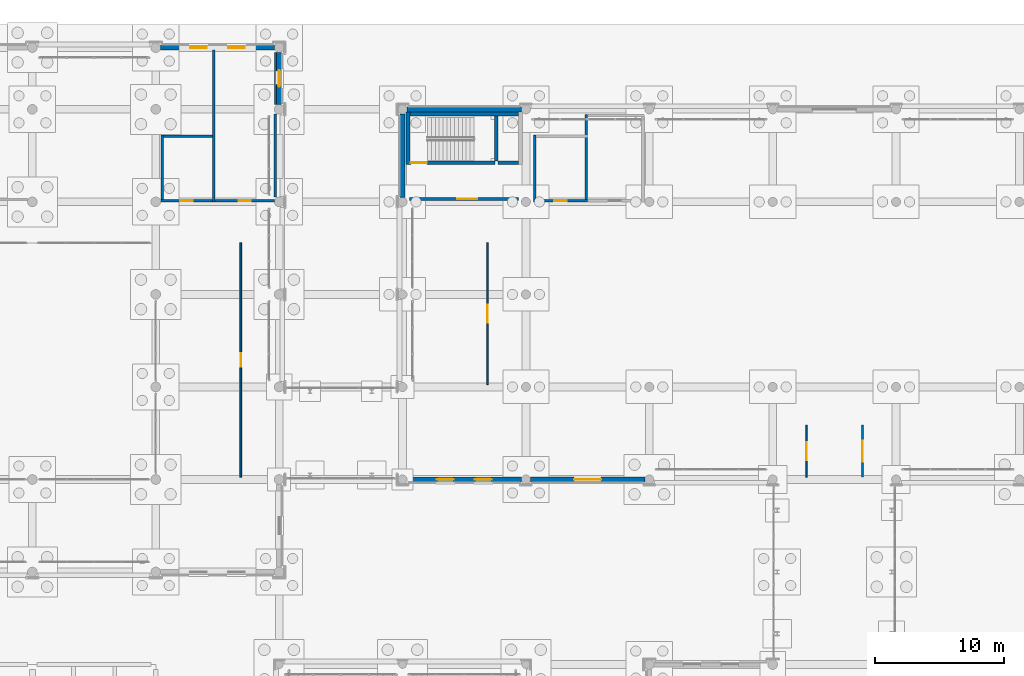
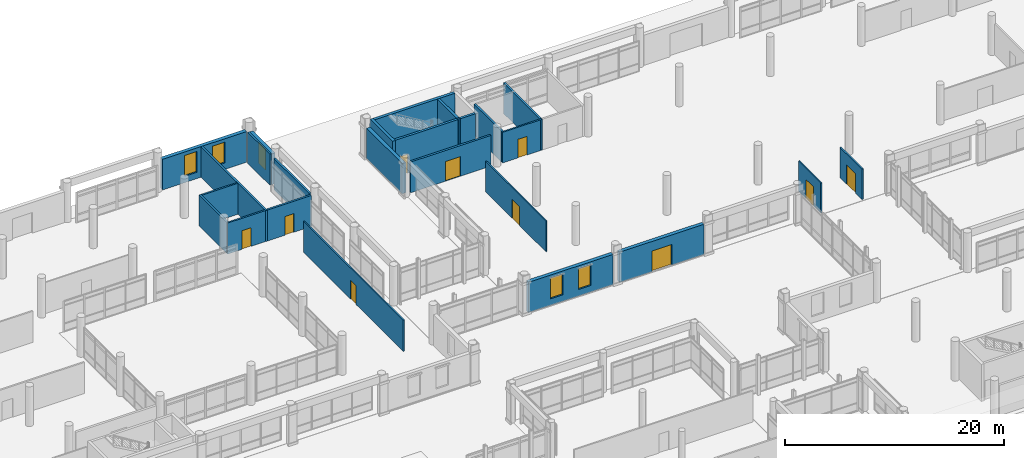
# One storey, part 164 of 196: 26 walls, 10 doors, 5 windows, 15 openings.
"""IFC4 building model written with IfcOpenShell, lengths in metres."""

import ifcopenshell
import ifcopenshell.guid

model = None  # the IFC model being written
_history = None  # IfcOwnerHistory: only IFC2X3 demands one
_inside = {}  # id of a spatial element -> (the spatial element, [elements in it])
_under = {}  # id of a project, library or spatial element -> (it, [spatial elements below it])
_declared = {}  # id of a project -> (the project, [libraries it declares])
_typed = {}  # id of a type object -> (the type object, [elements of that type])
_made_of = {}  # id of a material, layer set ... -> (it, [elements and type objects made of it])


def new_model(schema):
    """Start an empty IFC model of exactly this schema.

    Asked for "IFC4X3", IfcOpenShell would pick the latest addendum, in which some entities
    have other attributes; the version numbers below select the first issue.
    IFC2X3 requires an IfcOwnerHistory on every rooted entity: one is made here for all.
    """
    global model, _history
    if schema == "IFC4X3":
        model = ifcopenshell.file(schema_version=(4, 3, 0, 0))
    else:
        model = ifcopenshell.file(schema=schema)
    _inside.clear()
    _under.clear()
    _declared.clear()
    _typed.clear()
    _made_of.clear()
    _history = None
    if model.schema == "IFC2X3":
        org = make("IfcOrganization", Name="unknown")
        user = make(
            "IfcPersonAndOrganization",
            ThePerson=make("IfcPerson", FamilyName="unknown"),
            TheOrganization=org,
        )
        app = make(
            "IfcApplication",
            ApplicationDeveloper=org,
            Version="unknown",
            ApplicationFullName="unknown",
            ApplicationIdentifier="unknown",
        )
        _history = make(
            "IfcOwnerHistory",
            OwningUser=user,
            OwningApplication=app,
            ChangeAction="ADDED",
            CreationDate=0,
        )
    return model


def make(cls, **values):
    """One entity of the class cls with the attributes given. An attribute that is None is left unset."""
    return model.create_entity(
        cls, **{name: value for name, value in values.items() if value is not None}
    )


def rooted(cls, **values):
    """An entity with a GlobalId (a new one), such as an element, a storey or a relation."""
    return make(cls, GlobalId=ifcopenshell.guid.new(), OwnerHistory=_history, **values)


def si_unit(unit_type, name, prefix=None):
    """IfcSIUnit, for example si_unit("LENGTHUNIT", "METRE", prefix="MILLI")."""
    return make("IfcSIUnit", UnitType=unit_type, Prefix=prefix, Name=name)


def assignment(units):
    """IfcUnitAssignment: the units of a project."""
    return None if units is None else make("IfcUnitAssignment", Units=units)


def point(xyz):
    """IfcCartesianPoint."""
    return None if xyz is None else make("IfcCartesianPoint", Coordinates=xyz)


def direction(xyz):
    """IfcDirection."""
    return None if xyz is None else make("IfcDirection", DirectionRatios=xyz)


def frame(location, z_axis=None, x_axis=None):
    """IfcAxis2Placement3D, a coordinate frame: its origin and axes. An axis left out is left unset."""
    return make(
        "IfcAxis2Placement3D",
        Location=point(location),
        Axis=direction(z_axis),
        RefDirection=direction(x_axis),
    )


def frame_2d(location, x_axis=None):
    """IfcAxis2Placement2D, a coordinate frame in the plane: its origin and x axis."""
    return make(
        "IfcAxis2Placement2D", Location=point(location), RefDirection=direction(x_axis)
    )


def origin():
    """The frame at (0, 0, 0) with its axes left unset."""
    return frame((0.0, 0.0, 0.0))


def place(relative_to, where):
    """IfcLocalPlacement: puts the frame where relative to a parent placement (None: the world)."""
    return make(
        "IfcLocalPlacement", PlacementRelTo=relative_to, RelativePlacement=where
    )


def context(
    kind, dimensions, precision=None, world=None, true_north=None, identifier=None
):
    """IfcGeometricRepresentationContext, for example the 3D "Model" context."""
    return make(
        "IfcGeometricRepresentationContext",
        ContextIdentifier=identifier,
        ContextType=kind,
        CoordinateSpaceDimension=dimensions,
        Precision=precision,
        WorldCoordinateSystem=world,
        TrueNorth=true_north,
    )


def subcontext(parent, identifier, kind, view, scale=None):
    """IfcGeometricRepresentationSubContext, for example "Body" below "Model"."""
    return make(
        "IfcGeometricRepresentationSubContext",
        ContextIdentifier=identifier,
        ContextType=kind,
        ParentContext=parent,
        TargetScale=scale,
        TargetView=view,
    )


def project(units=None, contexts=None):
    """IfcProject with its units and contexts."""
    return rooted(
        "IfcProject",
        Name="project",
        RepresentationContexts=contexts,
        UnitsInContext=assignment(units),
    )


def spatial(cls, under=None, at=None, **own):
    """A site, building, storey or space (cls), placed at a placement, below another one or the project."""
    s = rooted(cls, ObjectPlacement=at, **own)
    if under is not None:
        _under.setdefault(under.id(), (under, []))[1].append(s)
    return s


def profile(cls, at=None, kind="AREA", **sizes):
    """A parametric profile (cls). Its sizes go by their IFC names, for example OverallWidth=200.0."""
    return make(cls, ProfileType=kind, Position=at, **sizes)


def rectangle(**sizes):
    """IfcRectangleProfileDef."""
    return profile("IfcRectangleProfileDef", **sizes)


def extrude(swept, where, along, depth):
    """IfcExtrudedAreaSolid: the profile swept, set in the frame where, extruded along a direction by depth."""
    return make(
        "IfcExtrudedAreaSolid",
        SweptArea=swept,
        Position=where,
        ExtrudedDirection=direction(along),
        Depth=depth,
    )


def shape(context_of_items, identifier, shape_type, items):
    """IfcShapeRepresentation: the items that make up one representation, for example the "Body"."""
    return make(
        "IfcShapeRepresentation",
        ContextOfItems=context_of_items,
        RepresentationIdentifier=identifier,
        RepresentationType=shape_type,
        Items=items,
    )


def material(Name=None, Category=None):
    """IfcMaterial."""
    return make("IfcMaterial", Name=Name, Category=Category)


def layer(
    of_material, thickness, ventilated=None, Name=None, Category=None, Priority=None
):
    """IfcMaterialLayer: one layer of a wall or slab, of a material (None: an air gap)."""
    return make(
        "IfcMaterialLayer",
        Material=of_material,
        LayerThickness=thickness,
        IsVentilated=ventilated,
        Name=Name,
        Category=Category,
        Priority=Priority,
    )


def layer_set(layers, Name=None):
    """IfcMaterialLayerSet."""
    return make("IfcMaterialLayerSet", MaterialLayers=layers, LayerSetName=Name)


def made_of(thing, what):
    """Note that an element or type object is made of a material, layer set ...; save() writes the relation."""
    if what is not None:
        _made_of.setdefault(what.id(), (what, []))[1].append(thing)
    return thing


def type_object(cls, material=None, **own):
    """A type object (cls), such as IfcWallType, which elements share."""
    return made_of(rooted(cls, **own), material)


def element(
    cls,
    number,
    at=None,
    inside=None,
    cuts=None,
    type_object=None,
    material=None,
    context=None,
    identifier="Body",
    shape_type=None,
    held_by="IfcProductDefinitionShape",
    body=None,
    shapes=None,
    **own,
):
    """One element of the class cls, such as IfcWall. Its Tag is "e" and its number.

    at: its placement. inside: the storey or other place that contains it. cuts: it is an
    opening in that element (IfcRelVoidsElement). A single representation is given by context,
    identifier, shape_type and body (its items); several are given by shapes. held_by: the class
    of the entity that holds the representations. save() writes the other relations.
    """
    e = rooted(cls, Tag="e%d" % number, ObjectPlacement=at, **own)
    if body is not None:
        shapes = [shape(context, identifier, shape_type, body)]
    if shapes is not None:
        e.Representation = make(held_by, Representations=shapes)
    if inside is not None:
        _inside.setdefault(inside.id(), (inside, []))[1].append(e)
    if cuts is not None:
        rooted(
            "IfcRelVoidsElement", RelatingBuildingElement=cuts, RelatedOpeningElement=e
        )
    if type_object is not None:
        _typed.setdefault(type_object.id(), (type_object, []))[1].append(e)
    return made_of(e, material)


def fill(opening, filler):
    """IfcRelFillsElement: the door or window that sits in an opening."""
    return rooted(
        "IfcRelFillsElement",
        RelatingOpeningElement=opening,
        RelatedBuildingElement=filler,
    )


def aggregate(whole, parts):
    """IfcRelAggregates: a whole, such as a stair, and the parts it consists of."""
    return rooted("IfcRelAggregates", RelatingObject=whole, RelatedObjects=parts)


def save(model, path):
    """Write the relations noted so far, then the file.

    IfcRelAggregates (storeys below a building ...), IfcRelContainedInSpatialStructure (elements
    in a storey), IfcRelDefinesByType, IfcRelAssociatesMaterial and IfcRelDeclares: one each for
    every whole, place, type object, material and project.
    """
    for whole, parts in _under.values():
        aggregate(whole, parts)
    for where, things in _inside.values():
        rooted(
            "IfcRelContainedInSpatialStructure",
            RelatedElements=things,
            RelatingStructure=where,
        )
    for kind, things in _typed.values():
        rooted("IfcRelDefinesByType", RelatedObjects=things, RelatingType=kind)
    for what, things in _made_of.values():
        rooted("IfcRelAssociatesMaterial", RelatedObjects=things, RelatingMaterial=what)
    for by, libraries in _declared.values():
        rooted("IfcRelDeclares", RelatingContext=by, RelatedDefinitions=libraries)
    model.write(path)


model = new_model("IFC4")

# Units and contexts
model_context = context("Model", 3, precision=1e-05, world=origin(), true_north=direction((0.0, 1.0)))
body_context = subcontext(model_context, "Body", "Model", "MODEL_VIEW")
ifc_project = project(units=[si_unit("LENGTHUNIT", "METRE"), si_unit("AREAUNIT", "SQUARE_METRE"), si_unit("VOLUMEUNIT", "CUBIC_METRE"), si_unit("PLANEANGLEUNIT", "RADIAN"), si_unit("MASSUNIT", "GRAM", prefix="KILO")], contexts=[model_context])

# Site, building, storey
site_placement = place(None, origin())
site = spatial("IfcSite", under=ifc_project, at=site_placement, CompositionType="ELEMENT")
building_placement = place(site_placement, origin())
building = spatial("IfcBuilding", under=site, at=building_placement, Name="Asteropetra Specialist Clinic", CompositionType="ELEMENT")
storey_placement = place(building_placement, origin())
storey = spatial("IfcBuildingStorey", under=building, at=storey_placement, Name="L00", CompositionType="ELEMENT", Elevation=0.0)

# Wall, openings, windows
ifc_material_1 = material(Name="Pentelic marble ashlar", Category="masonry")
ifc_layer_1 = layer(ifc_material_1, 0.3798828125)
ifc_layer_set_1 = layer_set([ifc_layer_1], Name="Pentelic marble ashlar")
wall_type_1 = type_object("IfcWallType", Name="EW-PENTELIC-380", PredefinedType="SOLIDWALL", material=ifc_layer_set_1)
wall_1_placement = place(storey_placement, frame((86.75, 76.800048828125, 0.0), z_axis=(0.0, 0.0, 1.0), x_axis=(1.0, 0.0, 0.0)))
wall_1 = element("IfcWall", 1, at=wall_1_placement, inside=storey, type_object=wall_type_1, Name="Exterior Wall EW-0001", PredefinedType="SOLIDWALL", context=body_context, shape_type="SweptSolid", body=[
    extrude(rectangle(XDim=8.89990234375, YDim=0.3798828125, at=frame_2d((4.449951171875, 0.0))), origin(), (0.0, 0.0, 1.0), 3.3701171875),
])
opening_1_placement = place(wall_1_placement, frame((2.316650390625, 0.0, 0.719970703125)))
opening_1 = element("IfcOpeningElement", 2, at=opening_1_placement, cuts=wall_1, Name="Opening W-0001", PredefinedType="OPENING", context=body_context, shape_type="SweptSolid", body=[
    extrude(rectangle(XDim=1.300048828125, YDim=2.320068359375, at=frame_2d((0.64990234375, 1.16015625))), frame((0.0, 0.199951171875, 0.0), z_axis=(0.0, -1.0, 0.0), x_axis=(1.0, 0.0, 0.0)), (0.0, 0.0, 1.0), 0.39990234375),
])
opening_2_placement = place(wall_1_placement, frame((5.283203125, 0.0, 0.719970703125)))
opening_2 = element("IfcOpeningElement", 3, at=opening_2_placement, cuts=wall_1, Name="Opening W-0002", PredefinedType="OPENING", context=body_context, shape_type="SweptSolid", body=[
    extrude(rectangle(XDim=1.300048828125, YDim=2.320068359375, at=frame_2d((0.64990234375, 1.16015625))), frame((0.0, 0.199951171875, 0.0), z_axis=(0.0, -1.0, 0.0), x_axis=(1.0, 0.0, 0.0)), (0.0, 0.0, 1.0), 0.39990234375),
])
ifc_material_2 = material(Name="Thermally broken bronze aluminium and low-E glass", Category="aluminium")
window_type = type_object("IfcWindowType", Name="WIN-T20", PartitioningType="DOUBLE_PANEL_VERTICAL", PredefinedType="WINDOW", material=ifc_material_2)
window_1_placement = place(opening_1_placement, origin())
window_1 = element("IfcWindow", 4, at=window_1_placement, inside=storey, type_object=window_type, Name="Window W-0001", OverallHeight=2.320068359375, OverallWidth=1.300048828125, PartitioningType="SINGLE_PANEL", PredefinedType="WINDOW", context=body_context, shape_type="SweptSolid", body=[
    extrude(rectangle(XDim=1.300048828125, YDim=2.320068359375, at=frame_2d((0.64990234375, 1.16015625))), frame((0.0, 0.030029296875, 0.0), z_axis=(0.0, -1.0, 0.0), x_axis=(1.0, 0.0, 0.0)), (0.0, 0.0, 1.0), 0.06005859375),
])
fill(opening_1, window_1)
window_2_placement = place(opening_2_placement, origin())
window_2 = element("IfcWindow", 5, at=window_2_placement, inside=storey, type_object=window_type, Name="Window W-0002", OverallHeight=2.320068359375, OverallWidth=1.300048828125, PartitioningType="SINGLE_PANEL", PredefinedType="WINDOW", context=body_context, shape_type="SweptSolid", body=[
    extrude(rectangle(XDim=1.300048828125, YDim=2.320068359375, at=frame_2d((0.64990234375, 1.16015625))), frame((0.0, 0.030029296875, 0.0), z_axis=(0.0, -1.0, 0.0), x_axis=(1.0, 0.0, 0.0)), (0.0, 0.0, 1.0), 0.06005859375),
])
fill(opening_2, window_2)

# Wall
wall_2_placement = place(storey_placement, frame((95.64990234375, 105.60009765625, 0.0), z_axis=(0.0, 0.0, 1.0), x_axis=(-1.0, 0.0, 0.0)))
element("IfcWall", 6, at=wall_2_placement, inside=storey, type_object=wall_type_1, Name="Exterior Wall EW-0002", PredefinedType="SOLIDWALL", context=body_context, shape_type="SweptSolid", body=[
    extrude(rectangle(XDim=8.89990234375, YDim=0.3798828125, at=frame_2d((4.449951171875, 0.0))), origin(), (0.0, 0.0, 1.0), 3.3701171875),
])

# Wall, opening, door
wall_3_placement = place(storey_placement, frame((96.35009765625, 76.800048828125, 0.0), z_axis=(0.0, 0.0, 1.0), x_axis=(1.0, 0.0, 0.0)))
wall_3 = element("IfcWall", 7, at=wall_3_placement, inside=storey, type_object=wall_type_1, Name="Exterior Wall EW-0003", PredefinedType="SOLIDWALL", context=body_context, shape_type="SweptSolid", body=[
    extrude(rectangle(XDim=8.89990234375, YDim=0.3798828125, at=frame_2d((4.449951171875, 0.0))), origin(), (0.0, 0.0, 1.0), 3.3701171875),
])
opening_3_placement = place(wall_3_placement, frame((3.39990234375, 0.0, 0.0)))
opening_3 = element("IfcOpeningElement", 8, at=opening_3_placement, cuts=wall_3, Name="Opening ED-001", PredefinedType="OPENING", context=body_context, shape_type="SweptSolid", body=[
    extrude(rectangle(XDim=2.10009765625, YDim=2.300048828125, at=frame_2d((1.050048828125, 1.14990234375))), frame((0.0, 0.199951171875, 0.0), z_axis=(0.0, -1.0, 0.0), x_axis=(1.0, 0.0, 0.0)), (0.0, 0.0, 1.0), 0.39990234375),
])
ifc_material_3 = material(Name="Bronze aluminium and safety glass", Category="aluminium")
door_type_1 = type_object("IfcDoorType", Name="EDR-EXIT-2100", OperationType="DOUBLE_DOOR_SINGLE_SWING", PredefinedType="DOOR", material=ifc_material_3)
door_1_placement = place(opening_3_placement, origin())
door_1 = element("IfcDoor", 9, at=door_1_placement, inside=storey, type_object=door_type_1, Name="Exterior Door ED-001", OperationType="DOUBLE_DOOR_SINGLE_SWING", OverallHeight=2.300048828125, OverallWidth=2.10009765625, PredefinedType="DOOR", context=body_context, shape_type="SweptSolid", body=[
    extrude(rectangle(XDim=2.10009765625, YDim=2.300048828125, at=frame_2d((1.050048828125, 1.14990234375))), frame((0.0, 0.02490234375, 0.0), z_axis=(0.0, -1.0, 0.0), x_axis=(1.0, 0.0, 0.0)), (0.0, 0.0, 1.0), 0.050048828125),
])
fill(opening_3, door_1)

# Wall
wall_4_placement = place(storey_placement, frame((86.39990234375, 105.25, 0.0), z_axis=(0.0, 0.0, 1.0), x_axis=(0.0, -1.0, 0.0)))
element("IfcWall", 10, at=wall_4_placement, inside=storey, type_object=wall_type_1, Name="Exterior Wall EW-0009", PredefinedType="SOLIDWALL", context=body_context, shape_type="SweptSolid", body=[
    extrude(rectangle(XDim=6.5, YDim=0.3798828125, at=frame_2d((3.25, 0.0))), origin(), (0.0, 0.0, 1.0), 3.3701171875),
])

# Wall, openings, windows
wall_5_placement = place(storey_placement, frame((76.425048828125, 110.39990234375, 0.0), z_axis=(0.0, 0.0, 1.0), x_axis=(-1.0, 0.0, 0.0)))
wall_5 = element("IfcWall", 11, at=wall_5_placement, inside=storey, type_object=wall_type_1, Name="Exterior Wall EW-0055", PredefinedType="SOLIDWALL", context=body_context, shape_type="SweptSolid", body=[
    extrude(rectangle(XDim=8.85009765625, YDim=0.3798828125, at=frame_2d((4.425048828125, 0.0))), origin(), (0.0, 0.0, 1.0), 3.419921875),
])
opening_4_placement = place(wall_5_placement, frame((2.300048828125, 0.0, 0.719970703125)))
opening_4 = element("IfcOpeningElement", 12, at=opening_4_placement, cuts=wall_5, Name="Opening W-0049", PredefinedType="OPENING", context=body_context, shape_type="SweptSolid", body=[
    extrude(rectangle(XDim=1.300048828125, YDim=2.320068359375, at=frame_2d((0.64990234375, 1.16015625))), frame((0.0, 0.199951171875, 0.0), z_axis=(0.0, -1.0, 0.0), x_axis=(1.0, 0.0, 0.0)), (0.0, 0.0, 1.0), 0.39990234375),
])
opening_5_placement = place(wall_5_placement, frame((5.25, 0.0, 0.719970703125)))
opening_5 = element("IfcOpeningElement", 13, at=opening_5_placement, cuts=wall_5, Name="Opening W-0050", PredefinedType="OPENING", context=body_context, shape_type="SweptSolid", body=[
    extrude(rectangle(XDim=1.300048828125, YDim=2.320068359375, at=frame_2d((0.64990234375, 1.16015625))), frame((0.0, 0.199951171875, 0.0), z_axis=(0.0, -1.0, 0.0), x_axis=(1.0, 0.0, 0.0)), (0.0, 0.0, 1.0), 0.39990234375),
])
window_3_placement = place(opening_4_placement, origin())
window_3 = element("IfcWindow", 14, at=window_3_placement, inside=storey, type_object=window_type, Name="Window W-0049", OverallHeight=2.320068359375, OverallWidth=1.300048828125, PartitioningType="SINGLE_PANEL", PredefinedType="WINDOW", context=body_context, shape_type="SweptSolid", body=[
    extrude(rectangle(XDim=1.300048828125, YDim=2.320068359375, at=frame_2d((0.64990234375, 1.16015625))), frame((0.0, 0.030029296875, 0.0), z_axis=(0.0, -1.0, 0.0), x_axis=(1.0, 0.0, 0.0)), (0.0, 0.0, 1.0), 0.06005859375),
])
fill(opening_4, window_3)
window_4_placement = place(opening_5_placement, origin())
window_4 = element("IfcWindow", 15, at=window_4_placement, inside=storey, type_object=window_type, Name="Window W-0050", OverallHeight=2.320068359375, OverallWidth=1.300048828125, PartitioningType="SINGLE_PANEL", PredefinedType="WINDOW", context=body_context, shape_type="SweptSolid", body=[
    extrude(rectangle(XDim=1.300048828125, YDim=2.320068359375, at=frame_2d((0.64990234375, 1.16015625))), frame((0.0, 0.030029296875, 0.0), z_axis=(0.0, -1.0, 0.0), x_axis=(1.0, 0.0, 0.0)), (0.0, 0.0, 1.0), 0.06005859375),
])
fill(opening_5, window_4)

# Wall, opening, window
wall_6_placement = place(storey_placement, frame((76.800048828125, 105.97509765625, 0.0), z_axis=(0.0, 0.0, 1.0), x_axis=(0.0, 1.0, 0.0)))
wall_6 = element("IfcWall", 16, at=wall_6_placement, inside=storey, type_object=wall_type_1, Name="Exterior Wall EW-0061", PredefinedType="SOLIDWALL", context=body_context, shape_type="SweptSolid", body=[
    extrude(rectangle(XDim=4.0498046875, YDim=0.3798828125, at=frame_2d((2.02490234375, 0.0))), origin(), (0.0, 0.0, 1.0), 3.419921875),
])
opening_6_placement = place(wall_6_placement, frame((1.375, 0.0, 0.719970703125)))
opening_6 = element("IfcOpeningElement", 17, at=opening_6_placement, cuts=wall_6, Name="Opening W-0054", PredefinedType="OPENING", context=body_context, shape_type="SweptSolid", body=[
    extrude(rectangle(XDim=1.300048828125, YDim=2.320068359375, at=frame_2d((0.64990234375, 1.16015625))), frame((0.0, 0.199951171875, 0.0), z_axis=(0.0, -1.0, 0.0), x_axis=(1.0, 0.0, 0.0)), (0.0, 0.0, 1.0), 0.39990234375),
])
window_5_placement = place(opening_6_placement, origin())
window_5 = element("IfcWindow", 18, at=window_5_placement, inside=storey, type_object=window_type, Name="Window W-0054", OverallHeight=2.320068359375, OverallWidth=1.300048828125, PartitioningType="SINGLE_PANEL", PredefinedType="WINDOW", context=body_context, shape_type="SweptSolid", body=[
    extrude(rectangle(XDim=1.300048828125, YDim=2.320068359375, at=frame_2d((0.64990234375, 1.16015625))), frame((0.0, 0.030029296875, 0.0), z_axis=(0.0, -1.0, 0.0), x_axis=(1.0, 0.0, 0.0)), (0.0, 0.0, 1.0), 0.06005859375),
])
fill(opening_6, window_5)

# Wall, opening, door
ifc_material_4 = material(Name="Fire-rated masonry and gypsum", Category="masonry")
ifc_layer_2 = layer(ifc_material_4, 0.219970703125)
ifc_layer_set_2 = layer_set([ifc_layer_2], Name="Fire-rated masonry and gypsum")
wall_type_2 = type_object("IfcWallType", Name="W-COMP-220", PredefinedType="PARTITIONING", material=ifc_layer_set_2)
wall_7_placement = place(storey_placement, frame((86.9599609375, 98.6201171875, 0.0), z_axis=(0.0, 0.0, 1.0), x_axis=(1.0, 0.0, 0.0)))
wall_7 = element("IfcWall", 19, at=wall_7_placement, inside=storey, type_object=wall_type_2, Name="Core Wall CW-C11-L00-LOB", PredefinedType="PARTITIONING", context=body_context, shape_type="SweptSolid", body=[
    extrude(rectangle(XDim=8.47998046875, YDim=0.219970703125, at=frame_2d((4.239990234375, 0.0))), origin(), (0.0, 0.0, 1.0), 3.419921875),
])
opening_7_placement = place(wall_7_placement, frame((3.699951171875, 0.0, 0.0)))
opening_7 = element("IfcOpeningElement", 20, at=opening_7_placement, cuts=wall_7, Name="Opening FD-096", PredefinedType="OPENING", context=body_context, shape_type="SweptSolid", body=[
    extrude(rectangle(XDim=1.550048828125, YDim=2.199951171875, at=frame_2d((0.77490234375, 1.10009765625))), frame((0.0, 0.119873046875, 0.0), z_axis=(0.0, -1.0, 0.0), x_axis=(1.0, 0.0, 0.0)), (0.0, 0.0, 1.0), 0.239990234375),
])
ifc_material_5 = material(Name="Fire-rated steel and vision glass door", Category="steel")
door_type_2 = type_object("IfcDoorType", Name="FD-LOBBY-1550", OperationType="DOUBLE_DOOR_SINGLE_SWING", PredefinedType="DOOR", material=ifc_material_5)
door_2_placement = place(opening_7_placement, origin())
door_2 = element("IfcDoor", 21, at=door_2_placement, inside=storey, type_object=door_type_2, Name="Lobby Fire Door FD-096", OperationType="DOUBLE_DOOR_SINGLE_SWING", OverallHeight=2.199951171875, OverallWidth=1.550048828125, PredefinedType="DOOR", context=body_context, shape_type="SweptSolid", body=[
    extrude(rectangle(XDim=1.550048828125, YDim=2.199951171875, at=frame_2d((0.77490234375, 1.10009765625))), frame((0.0, 0.02490234375, 0.0), z_axis=(0.0, -1.0, 0.0), x_axis=(1.0, 0.0, 0.0)), (0.0, 0.0, 1.0), 0.050048828125),
])
fill(opening_7, door_2)

# Walls
ifc_material_6 = material(Name="Concrete C35/45", Category="concrete")
ifc_layer_3 = layer(ifc_material_6, 0.300048828125)
ifc_layer_set_3 = layer_set([ifc_layer_3], Name="Concrete C35/45")
wall_type_3 = type_object("IfcWallType", Name="W-CORE-300", PredefinedType="SHEAR", material=ifc_layer_set_3)
wall_8_placement = place(storey_placement, frame((86.820068359375, 101.2900390625, 0.0), z_axis=(0.0, 0.0, 1.0), x_axis=(0.0, 1.0, 0.0)))
element("IfcWall", 22, at=wall_8_placement, inside=storey, type_object=wall_type_3, Name="Core Wall CW-C11-L00-W", PredefinedType="SHEAR", context=body_context, shape_type="SweptSolid", body=[
    extrude(rectangle(XDim=4.099853515625, YDim=0.300048828125, at=frame_2d((2.0498046875, 0.0))), origin(), (0.0, 0.0, 1.0), 4.139892578125),
])
wall_9_placement = place(storey_placement, frame((86.965087890625, 105.239990234375, 0.0), z_axis=(0.0, 0.0, 1.0), x_axis=(1.0, 0.0, 0.0)))
element("IfcWall", 23, at=wall_9_placement, inside=storey, type_object=wall_type_3, Name="Core Wall CW-C11-L00-BACK", PredefinedType="SHEAR", context=body_context, shape_type="SweptSolid", body=[
    extrude(rectangle(XDim=8.469970703125, YDim=0.300048828125, at=frame_2d((4.23486328125, 0.0))), origin(), (0.0, 0.0, 1.0), 4.139892578125),
])

# Wall, opening, door
ifc_material_7 = material(Name="Light partition", Category="masonry")
ifc_layer_4 = layer(ifc_material_7, 0.1201171875)
ifc_layer_set_4 = layer_set([ifc_layer_4], Name="Light partition")
wall_type_4 = type_object("IfcWallType", Name="W-PART-120", PredefinedType="PARTITIONING", material=ifc_layer_set_4)
wall_10_placement = place(storey_placement, frame((117.820068359375, 76.97998046875, 0.0), z_axis=(0.0, 0.0, 1.0), x_axis=(0.0, 1.0, 0.0)))
wall_10 = element("IfcWall", 24, at=wall_10_placement, inside=storey, type_object=wall_type_4, Name="Interior Partition PW-0044", PredefinedType="PARTITIONING", context=body_context, shape_type="SweptSolid", body=[
    extrude(rectangle(XDim=4.0400390625, YDim=0.1201171875, at=frame_2d((2.02001953125, 0.0))), origin(), (0.0, 0.0, 1.0), 3.3701171875),
])
opening_8_placement = place(wall_10_placement, frame((1.320068359375, 0.0, 0.0)))
opening_8 = element("IfcOpeningElement", 25, at=opening_8_placement, cuts=wall_10, Name="Opening ID-0018", PredefinedType="OPENING", context=body_context, shape_type="SweptSolid", body=[
    extrude(rectangle(XDim=1.39990234375, YDim=2.1201171875, at=frame_2d((0.699951171875, 1.06005859375))), frame((0.0, 0.070068359375, 0.0), z_axis=(0.0, -1.0, 0.0), x_axis=(1.0, 0.0, 0.0)), (0.0, 0.0, 1.0), 0.14013671875),
])
ifc_material_8 = material(Name="Antimicrobial laminate timber leaf in steel frame", Category="steel")
door_type_3 = type_object("IfcDoorType", Name="ID-WARD-1400", OperationType="NOTDEFINED", PredefinedType="DOOR", material=ifc_material_8)
door_3_placement = place(opening_8_placement, origin())
door_3 = element("IfcDoor", 26, at=door_3_placement, inside=storey, type_object=door_type_3, Name="Interior Door ID-0018", OperationType="SINGLE_SWING_LEFT", OverallHeight=2.1201171875, OverallWidth=1.39990234375, PredefinedType="DOOR", context=body_context, shape_type="SweptSolid", body=[
    extrude(rectangle(XDim=1.39990234375, YDim=2.1201171875, at=frame_2d((0.699951171875, 1.06005859375))), frame((0.0, 0.02490234375, 0.0), z_axis=(0.0, -1.0, 0.0), x_axis=(1.0, 0.0, 0.0)), (0.0, 0.0, 1.0), 0.050048828125),
])
fill(opening_8, door_3)

ifc_material_9 = material(Name="Office and seminar partition", Category="masonry")
ifc_layer_5 = layer(ifc_material_9, 0.1298828125)
ifc_layer_set_5 = layer_set([ifc_layer_5], Name="Office and seminar partition")
wall_type_5 = type_object("IfcWallType", Name="W-PART-130", PredefinedType="PARTITIONING", material=ifc_layer_set_5)
wall_11_placement = place(storey_placement, frame((93.02001953125, 84.179931640625, 0.0), z_axis=(0.0, 0.0, 1.0), x_axis=(0.0, 1.0, 0.0)))
wall_11 = element("IfcWall", 27, at=wall_11_placement, inside=storey, type_object=wall_type_5, Name="Interior Partition PW-0043", PredefinedType="PARTITIONING", context=body_context, shape_type="SweptSolid", body=[
    extrude(rectangle(XDim=11.0400390625, YDim=0.1298828125, at=frame_2d((5.52001953125, 0.0))), origin(), (0.0, 0.0, 1.0), 3.419921875),
])
opening_9_placement = place(wall_11_placement, frame((4.820068359375, 0.0, 0.0)))
opening_9 = element("IfcOpeningElement", 28, at=opening_9_placement, cuts=wall_11, Name="Opening ID-0017", PredefinedType="OPENING", context=body_context, shape_type="SweptSolid", body=[
    extrude(rectangle(XDim=1.39990234375, YDim=2.1201171875, at=frame_2d((0.699951171875, 1.06005859375))), frame((0.0, 0.074951171875, 0.0), z_axis=(0.0, -1.0, 0.0), x_axis=(1.0, 0.0, 0.0)), (0.0, 0.0, 1.0), 0.14990234375),
])
door_4_placement = place(opening_9_placement, origin())
door_4 = element("IfcDoor", 29, at=door_4_placement, inside=storey, type_object=door_type_3, Name="Interior Door ID-0017", OperationType="SINGLE_SWING_RIGHT", OverallHeight=2.1201171875, OverallWidth=1.39990234375, PredefinedType="DOOR", context=body_context, shape_type="SweptSolid", body=[
    extrude(rectangle(XDim=1.39990234375, YDim=2.1201171875, at=frame_2d((0.699951171875, 1.06005859375))), frame((0.0, 0.02490234375, 0.0), z_axis=(0.0, -1.0, 0.0), x_axis=(1.0, 0.0, 0.0)), (0.0, 0.0, 1.0), 0.050048828125),
])
fill(opening_9, door_4)

ifc_material_10 = material(Name="Laboratory partition", Category="masonry")
ifc_layer_6 = layer(ifc_material_10, 0.139892578125)
ifc_layer_set_6 = layer_set([ifc_layer_6], Name="Laboratory partition")
wall_type_6 = type_object("IfcWallType", Name="W-PART-140", PredefinedType="PARTITIONING", material=ifc_layer_set_6)
wall_12_placement = place(storey_placement, frame((73.820068359375, 76.97998046875, 0.0), z_axis=(0.0, 0.0, 1.0), x_axis=(0.0, 1.0, 0.0)))
wall_12 = element("IfcWall", 30, at=wall_12_placement, inside=storey, type_object=wall_type_6, Name="Interior Partition PW-0062", PredefinedType="PARTITIONING", context=body_context, shape_type="SweptSolid", body=[
    extrude(rectangle(XDim=18.239990234375, YDim=0.139892578125, at=frame_2d((9.1201171875, 0.0))), origin(), (0.0, 0.0, 1.0), 3.4599609375),
])
opening_10_placement = place(wall_12_placement, frame((8.594970703125, 0.0, 0.0)))
opening_10 = element("IfcOpeningElement", 31, at=opening_10_placement, cuts=wall_12, Name="Opening ID-0036", PredefinedType="OPENING", context=body_context, shape_type="SweptSolid", body=[
    extrude(rectangle(XDim=1.050048828125, YDim=2.10009765625, at=frame_2d((0.52490234375, 1.050048828125))), frame((0.0, 0.079833984375, 0.0), z_axis=(0.0, -1.0, 0.0), x_axis=(1.0, 0.0, 0.0)), (0.0, 0.0, 1.0), 0.159912109375),
])
ifc_material_11 = material(Name="Antimicrobial laminate timber leaf in steel frame", Category="steel")
door_type_4 = type_object("IfcDoorType", Name="ID-CONS-1050", OperationType="SINGLE_SWING_LEFT", PredefinedType="DOOR", material=ifc_material_11)
door_5_placement = place(opening_10_placement, origin())
door_5 = element("IfcDoor", 32, at=door_5_placement, inside=storey, type_object=door_type_4, Name="Interior Door ID-0036", OperationType="SINGLE_SWING_LEFT", OverallHeight=2.10009765625, OverallWidth=1.050048828125, PredefinedType="DOOR", context=body_context, shape_type="SweptSolid", body=[
    extrude(rectangle(XDim=1.050048828125, YDim=2.10009765625, at=frame_2d((0.52490234375, 1.050048828125))), frame((0.0, 0.02490234375, 0.0), z_axis=(0.0, -1.0, 0.0), x_axis=(1.0, 0.0, 0.0)), (0.0, 0.0, 1.0), 0.050048828125),
])
fill(opening_10, door_5)

ifc_material_12 = material(Name="Acoustic clinical stud partition", Category="masonry")
ifc_layer_7 = layer(ifc_material_12, 0.159912109375)
ifc_layer_set_7 = layer_set([ifc_layer_7], Name="Acoustic clinical stud partition")
wall_type_7 = type_object("IfcWallType", Name="W-PART-160", PredefinedType="PARTITIONING", material=ifc_layer_set_7)
wall_13_placement = place(storey_placement, frame((122.179931640625, 76.97998046875, 0.0), z_axis=(0.0, 0.0, 1.0), x_axis=(0.0, 1.0, 0.0)))
wall_13 = element("IfcWall", 33, at=wall_13_placement, inside=storey, type_object=wall_type_7, Name="Interior Partition PW-0045", PredefinedType="PARTITIONING", context=body_context, shape_type="SweptSolid", body=[
    extrude(rectangle(XDim=4.0400390625, YDim=0.159912109375, at=frame_2d((2.02001953125, 0.0))), origin(), (0.0, 0.0, 1.0), 3.3701171875),
])
opening_11_placement = place(wall_13_placement, frame((1.195068359375, 0.0, 0.0)))
opening_11 = element("IfcOpeningElement", 34, at=opening_11_placement, cuts=wall_13, Name="Opening ID-0019", PredefinedType="OPENING", context=body_context, shape_type="SweptSolid", body=[
    extrude(rectangle(XDim=1.64990234375, YDim=2.14990234375, at=frame_2d((0.824951171875, 1.074951171875))), frame((0.0, 0.08984375, 0.0), z_axis=(0.0, -1.0, 0.0), x_axis=(1.0, 0.0, 0.0)), (0.0, 0.0, 1.0), 0.179931640625),
])
ifc_material_13 = material(Name="Antimicrobial laminate timber leaf in steel frame", Category="steel")
door_type_5 = type_object("IfcDoorType", Name="ID-PROC-1650", OperationType="DOUBLE_DOOR_SINGLE_SWING", PredefinedType="DOOR", material=ifc_material_13)
door_6_placement = place(opening_11_placement, origin())
door_6 = element("IfcDoor", 35, at=door_6_placement, inside=storey, type_object=door_type_5, Name="Interior Door ID-0019", OperationType="DOUBLE_DOOR_SINGLE_SWING", OverallHeight=2.14990234375, OverallWidth=1.64990234375, PredefinedType="DOOR", context=body_context, shape_type="SweptSolid", body=[
    extrude(rectangle(XDim=1.64990234375, YDim=2.14990234375, at=frame_2d((0.824951171875, 1.074951171875))), frame((0.0, 0.02490234375, 0.0), z_axis=(0.0, -1.0, 0.0), x_axis=(1.0, 0.0, 0.0)), (0.0, 0.0, 1.0), 0.050048828125),
])
fill(opening_11, door_6)

ifc_material_14 = material(Name="En-suite plumbing wall", Category="masonry")
ifc_layer_8 = layer(ifc_material_14, 0.169921875)
ifc_layer_set_8 = layer_set([ifc_layer_8], Name="En-suite plumbing wall")
wall_type_8 = type_object("IfcWallType", Name="W-PLUMB-170", PredefinedType="PLUMBINGWALL", material=ifc_layer_set_8)
wall_14_placement = place(storey_placement, frame((96.594970703125, 98.489990234375, 0.0), z_axis=(0.0, 0.0, 1.0), x_axis=(1.0, 0.0, 0.0)))
wall_14 = element("IfcWall", 36, at=wall_14_placement, inside=storey, type_object=wall_type_8, Name="Interior Partition PW-0013", PredefinedType="PLUMBINGWALL", context=body_context, shape_type="SweptSolid", body=[
    extrude(rectangle(XDim=4.2099609375, YDim=0.169921875, at=frame_2d((2.10498046875, 0.0))), origin(), (0.0, 0.0, 1.0), 3.419921875),
])
opening_12_placement = place(wall_14_placement, frame((1.614990234375, 0.0, 0.0)))
opening_12 = element("IfcOpeningElement", 37, at=opening_12_placement, cuts=wall_14, Name="Opening ID-0008", PredefinedType="OPENING", context=body_context, shape_type="SweptSolid", body=[
    extrude(rectangle(XDim=0.97998046875, YDim=2.080078125, at=frame_2d((0.489990234375, 1.0400390625))), frame((0.0, 0.094970703125, 0.0), z_axis=(0.0, -1.0, 0.0), x_axis=(1.0, 0.0, 0.0)), (0.0, 0.0, 1.0), 0.18994140625),
])
ifc_material_15 = material(Name="Antimicrobial laminate timber leaf in steel frame", Category="steel")
door_type_6 = type_object("IfcDoorType", Name="ID-AWC-0980", OperationType="NOTDEFINED", PredefinedType="DOOR", material=ifc_material_15)
door_7_placement = place(opening_12_placement, origin())
door_7 = element("IfcDoor", 38, at=door_7_placement, inside=storey, type_object=door_type_6, Name="Interior Door ID-0008", OperationType="SINGLE_SWING_RIGHT", OverallHeight=2.080078125, OverallWidth=0.97998046875, PredefinedType="DOOR", context=body_context, shape_type="SweptSolid", body=[
    extrude(rectangle(XDim=0.97998046875, YDim=2.080078125, at=frame_2d((0.489990234375, 1.0400390625))), frame((0.0, 0.02490234375, 0.0), z_axis=(0.0, -1.0, 0.0), x_axis=(1.0, 0.0, 0.0)), (0.0, 0.0, 1.0), 0.050048828125),
])
fill(opening_12, door_7)

wall_15_placement = place(storey_placement, frame((67.594970703125, 98.489990234375, 0.0), z_axis=(0.0, 0.0, 1.0), x_axis=(1.0, 0.0, 0.0)))
wall_15 = element("IfcWall", 39, at=wall_15_placement, inside=storey, type_object=wall_type_8, Name="Interior Partition PW-0029", PredefinedType="PLUMBINGWALL", context=body_context, shape_type="SweptSolid", body=[
    extrude(rectangle(XDim=4.012939453125, YDim=0.169921875, at=frame_2d((2.00634765625, 0.0))), origin(), (0.0, 0.0, 1.0), 3.4599609375),
])
opening_13_placement = place(wall_15_placement, frame((1.5166015625, 0.0, 0.0)))
opening_13 = element("IfcOpeningElement", 40, at=opening_13_placement, cuts=wall_15, Name="Opening ID-0012", PredefinedType="OPENING", context=body_context, shape_type="SweptSolid", body=[
    extrude(rectangle(XDim=0.97998046875, YDim=2.080078125, at=frame_2d((0.489990234375, 1.0400390625))), frame((0.0, 0.094970703125, 0.0), z_axis=(0.0, -1.0, 0.0), x_axis=(1.0, 0.0, 0.0)), (0.0, 0.0, 1.0), 0.18994140625),
])
door_8_placement = place(opening_13_placement, origin())
door_8 = element("IfcDoor", 41, at=door_8_placement, inside=storey, type_object=door_type_6, Name="Interior Door ID-0012", OperationType="SINGLE_SWING_RIGHT", OverallHeight=2.080078125, OverallWidth=0.97998046875, PredefinedType="DOOR", context=body_context, shape_type="SweptSolid", body=[
    extrude(rectangle(XDim=0.97998046875, YDim=2.080078125, at=frame_2d((0.489990234375, 1.0400390625))), frame((0.0, 0.02490234375, 0.0), z_axis=(0.0, -1.0, 0.0), x_axis=(1.0, 0.0, 0.0)), (0.0, 0.0, 1.0), 0.050048828125),
])
fill(opening_13, door_8)

# Walls
wall_16_placement = place(storey_placement, frame((67.7919921875, 103.510009765625, 0.0), z_axis=(0.0, 0.0, 1.0), x_axis=(1.0, 0.0, 0.0)))
element("IfcWall", 42, at=wall_16_placement, inside=storey, type_object=wall_type_8, Name="Interior Partition PW-0031", PredefinedType="PLUMBINGWALL", context=body_context, shape_type="SweptSolid", body=[
    extrude(rectangle(XDim=3.81591796875, YDim=0.169921875, at=frame_2d((1.907958984375, 0.0))), origin(), (0.0, 0.0, 1.0), 3.4599609375),
])
wall_17_placement = place(storey_placement, frame((76.510009765625, 105.97998046875, 0.0), z_axis=(0.0, 0.0, 1.0), x_axis=(0.0, 1.0, 0.0)))
element("IfcWall", 43, at=wall_17_placement, inside=storey, type_object=wall_type_8, Name="Interior Partition PW-0033", PredefinedType="PLUMBINGWALL", context=body_context, shape_type="SweptSolid", body=[
    extrude(rectangle(XDim=4.0400390625, YDim=0.169921875, at=frame_2d((2.02001953125, 0.0))), origin(), (0.0, 0.0, 1.0), 3.4599609375),
])
ifc_material_16 = material(Name="Sanitary service-chase wall", Category="masonry")
ifc_layer_9 = layer(ifc_material_16, 0.199951171875)
ifc_layer_set_9 = layer_set([ifc_layer_9], Name="Sanitary service-chase wall")
wall_type_9 = type_object("IfcWallType", Name="W-PLUMB-200", PredefinedType="PLUMBINGWALL", material=ifc_layer_set_9)
wall_18_placement = place(storey_placement, frame((96.68994140625, 98.576904296875, 0.0), z_axis=(0.0, 0.0, 1.0), x_axis=(0.0, 1.0, 0.0)))
element("IfcWall", 44, at=wall_18_placement, inside=storey, type_object=wall_type_9, Name="Interior Partition PW-0014", PredefinedType="PLUMBINGWALL", context=body_context, shape_type="SweptSolid", body=[
    extrude(rectangle(XDim=5.028076171875, YDim=0.199951171875, at=frame_2d((2.51416015625, 0.0))), origin(), (0.0, 0.0, 1.0), 3.419921875),
])
wall_19_placement = place(storey_placement, frame((100.7099609375, 98.39501953125, 0.0), z_axis=(0.0, 0.0, 1.0), x_axis=(0.0, 1.0, 0.0)))
element("IfcWall", 45, at=wall_19_placement, inside=storey, type_object=wall_type_9, Name="Interior Partition PW-0016", PredefinedType="PLUMBINGWALL", context=body_context, shape_type="SweptSolid", body=[
    extrude(rectangle(XDim=6.81005859375, YDim=0.199951171875, at=frame_2d((3.405029296875, 0.0))), origin(), (0.0, 0.0, 1.0), 3.419921875),
])
wall_20_placement = place(storey_placement, frame((71.7099609375, 98.39501953125, 0.0), z_axis=(0.0, 0.0, 1.0), x_axis=(0.0, 1.0, 0.0)))
element("IfcWall", 46, at=wall_20_placement, inside=storey, type_object=wall_type_9, Name="Interior Partition PW-0028", PredefinedType="PLUMBINGWALL", context=body_context, shape_type="SweptSolid", body=[
    extrude(rectangle(XDim=11.81298828125, YDim=0.199951171875, at=frame_2d((5.906494140625, 0.0))), origin(), (0.0, 0.0, 1.0), 3.419921875),
])
wall_21_placement = place(storey_placement, frame((67.68994140625, 98.576904296875, 0.0), z_axis=(0.0, 0.0, 1.0), x_axis=(0.0, 1.0, 0.0)))
element("IfcWall", 47, at=wall_21_placement, inside=storey, type_object=wall_type_9, Name="Interior Partition PW-0030", PredefinedType="PLUMBINGWALL", context=body_context, shape_type="SweptSolid", body=[
    extrude(rectangle(XDim=5.028076171875, YDim=0.199951171875, at=frame_2d((2.51416015625, 0.0))), origin(), (0.0, 0.0, 1.0), 3.4599609375),
])

# Wall, opening, door
wall_22_placement = place(storey_placement, frame((71.81201171875, 98.489990234375, 0.0), z_axis=(0.0, 0.0, 1.0), x_axis=(1.0, 0.0, 0.0)))
wall_22 = element("IfcWall", 48, at=wall_22_placement, inside=storey, type_object=wall_type_9, Name="Interior Partition PW-0032", PredefinedType="PLUMBINGWALL", context=body_context, shape_type="SweptSolid", body=[
    extrude(rectangle(XDim=4.60791015625, YDim=0.199951171875, at=frame_2d((2.303955078125, 0.0))), origin(), (0.0, 0.0, 1.0), 3.4599609375),
])
opening_14_placement = place(wall_22_placement, frame((1.843994140625, 0.0, 0.0)))
opening_14 = element("IfcOpeningElement", 49, at=opening_14_placement, cuts=wall_22, Name="Opening ID-0013", PredefinedType="OPENING", context=body_context, shape_type="SweptSolid", body=[
    extrude(rectangle(XDim=0.919921875, YDim=2.080078125, at=frame_2d((0.4599609375, 1.0400390625))), frame((0.0, 0.10986328125, 0.0), z_axis=(0.0, -1.0, 0.0), x_axis=(1.0, 0.0, 0.0)), (0.0, 0.0, 1.0), 0.219970703125),
])
ifc_material_17 = material(Name="Antimicrobial laminate timber leaf in steel frame", Category="steel")
door_type_7 = type_object("IfcDoorType", Name="ID-WC-0920", OperationType="NOTDEFINED", PredefinedType="DOOR", material=ifc_material_17)
door_9_placement = place(opening_14_placement, origin())
door_9 = element("IfcDoor", 50, at=door_9_placement, inside=storey, type_object=door_type_7, Name="Interior Door ID-0013", OperationType="SINGLE_SWING_LEFT", OverallHeight=2.080078125, OverallWidth=0.919921875, PredefinedType="DOOR", context=body_context, shape_type="SweptSolid", body=[
    extrude(rectangle(XDim=0.919921875, YDim=2.080078125, at=frame_2d((0.4599609375, 1.0400390625))), frame((0.0, 0.02490234375, 0.0), z_axis=(0.0, -1.0, 0.0), x_axis=(1.0, 0.0, 0.0)), (0.0, 0.0, 1.0), 0.050048828125),
])
fill(opening_14, door_9)

# Walls
wall_23_placement = place(storey_placement, frame((76.510009765625, 98.780029296875, 0.0), z_axis=(0.0, 0.0, 1.0), x_axis=(0.0, 1.0, 0.0)))
element("IfcWall", 51, at=wall_23_placement, inside=storey, type_object=wall_type_9, Name="Interior Partition PW-0034", PredefinedType="PLUMBINGWALL", context=body_context, shape_type="SweptSolid", body=[
    extrude(rectangle(XDim=6.43994140625, YDim=0.199951171875, at=frame_2d((3.219970703125, 0.0))), origin(), (0.0, 0.0, 1.0), 3.4599609375),
])
ifc_material_18 = material(Name="Concrete C35/45", Category="concrete")
ifc_layer_10 = layer(ifc_material_18, 0.25)
ifc_layer_set_10 = layer_set([ifc_layer_10], Name="Concrete C35/45")
wall_type_10 = type_object("IfcWallType", Name="W-SHAFT-250", PredefinedType="SHEAR", material=ifc_layer_set_10)
wall_24_placement = place(storey_placement, frame((93.699951171875, 101.56005859375, 0.0), z_axis=(0.0, 0.0, 1.0), x_axis=(0.0, 1.0, 0.0)))
element("IfcWall", 52, at=wall_24_placement, inside=storey, type_object=wall_type_10, Name="Core Wall CW-C11-L00-MID", PredefinedType="SHEAR", context=body_context, shape_type="SweptSolid", body=[
    extrude(rectangle(XDim=3.530029296875, YDim=0.25, at=frame_2d((1.76513671875, 0.0))), origin(), (0.0, 0.0, 1.0), 4.139892578125),
])

# Wall, opening, door
wall_25_placement = place(storey_placement, frame((86.965087890625, 101.43994140625, 0.0), z_axis=(0.0, 0.0, 1.0), x_axis=(1.0, 0.0, 0.0)))
wall_25 = element("IfcWall", 53, at=wall_25_placement, inside=storey, type_object=wall_type_10, Name="Core Wall CW-C11-L00-STDIV", PredefinedType="SHEAR", context=body_context, shape_type="SweptSolid", body=[
    extrude(rectangle(XDim=6.614990234375, YDim=0.25, at=frame_2d((3.3076171875, 0.0))), origin(), (0.0, 0.0, 1.0), 4.139892578125),
])
opening_15_placement = place(wall_25_placement, frame((0.080078125, 0.0, 0.0)))
opening_15 = element("IfcOpeningElement", 54, at=opening_15_placement, cuts=wall_25, Name="Opening FD-095", PredefinedType="OPENING", context=body_context, shape_type="SweptSolid", body=[
    extrude(rectangle(XDim=1.239990234375, YDim=2.14990234375, at=frame_2d((0.6201171875, 1.074951171875))), frame((0.0, 0.135009765625, 0.0), z_axis=(0.0, -1.0, 0.0), x_axis=(1.0, 0.0, 0.0)), (0.0, 0.0, 1.0), 0.27001953125),
])
ifc_material_19 = material(Name="Fire-rated steel and vision glass door", Category="steel")
door_type_8 = type_object("IfcDoorType", Name="FD-STAIR-1400", OperationType="DOUBLE_DOOR_SINGLE_SWING", PredefinedType="DOOR", material=ifc_material_19)
door_10_placement = place(opening_15_placement, origin())
door_10 = element("IfcDoor", 55, at=door_10_placement, inside=storey, type_object=door_type_8, Name="Stair Fire Door FD-095", OperationType="DOUBLE_DOOR_SINGLE_SWING", OverallHeight=2.14990234375, OverallWidth=1.239990234375, PredefinedType="DOOR", context=body_context, shape_type="SweptSolid", body=[
    extrude(rectangle(XDim=1.239990234375, YDim=2.14990234375, at=frame_2d((0.6201171875, 1.074951171875))), frame((0.0, 0.02490234375, 0.0), z_axis=(0.0, -1.0, 0.0), x_axis=(1.0, 0.0, 0.0)), (0.0, 0.0, 1.0), 0.050048828125),
])
fill(opening_15, door_10)

# Wall
wall_26_placement = place(storey_placement, frame((93.820068359375, 101.43994140625, 0.0), z_axis=(0.0, 0.0, 1.0), x_axis=(1.0, 0.0, 0.0)))
element("IfcWall", 56, at=wall_26_placement, inside=storey, type_object=wall_type_10, Name="Lift Shaft Front Wall CW-C11-L00-LFTF", PredefinedType="SHEAR", context=body_context, shape_type="SweptSolid", body=[
    extrude(rectangle(XDim=1.614990234375, YDim=0.25, at=frame_2d((0.8076171875, 0.0))), origin(), (0.0, 0.0, 1.0), 4.139892578125),
])

save(model, "model.ifc")
